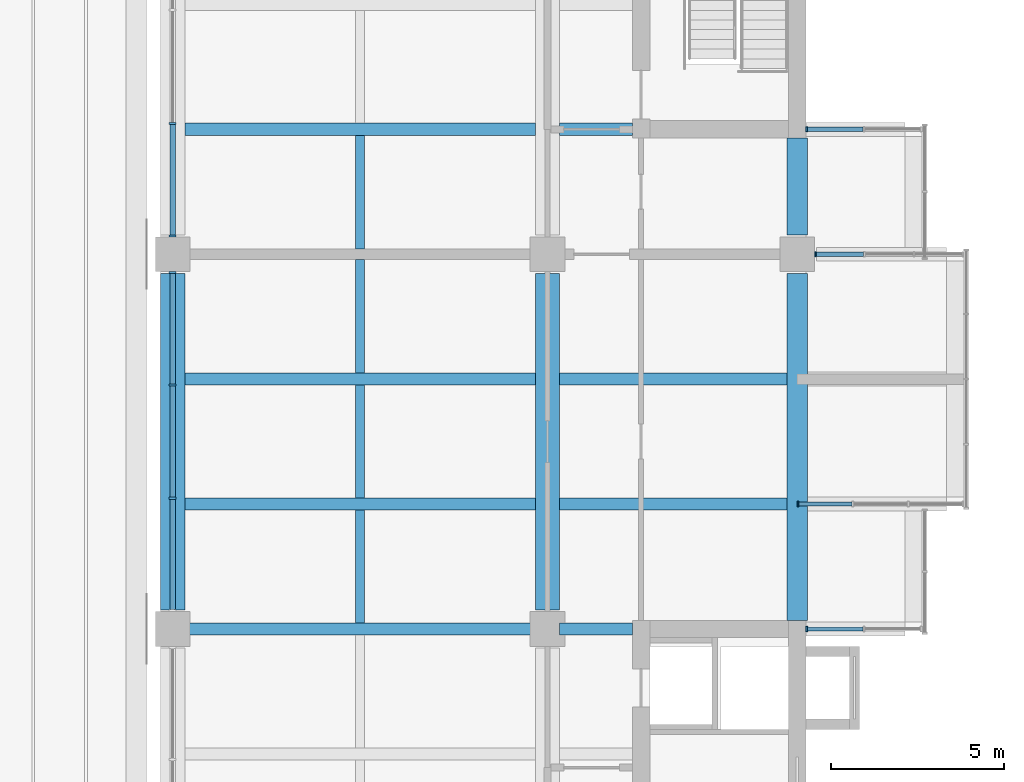
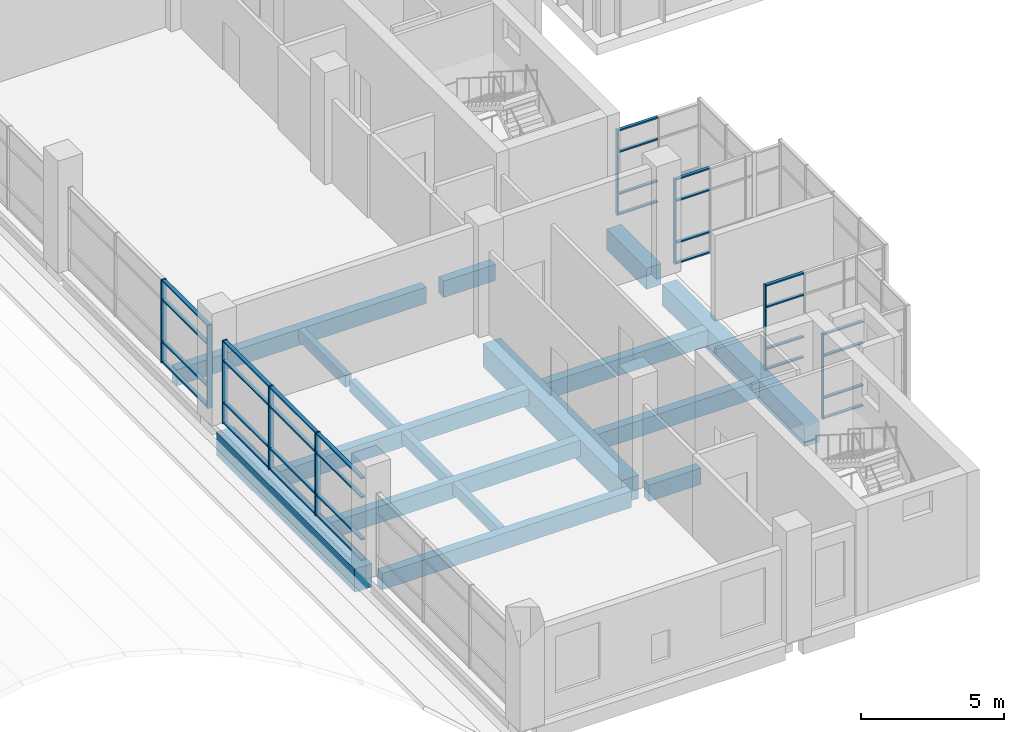
# One storey, part 7 of 45: 41 members, 16 beams, 6 elements without a shape of their own.
"""IFC4 building model written with IfcOpenShell, lengths in metres."""

from ifc_helpers import new_model, si_unit, direction, frame, origin, origin_2d, place, context, subcontext, project, spatial, rectangle, extrude, material, layer, layer_set, material_profile, profile_set, type_object, element, aggregate, save


model = new_model("IFC4")

# Units and contexts
model_context = context("Model", 3, precision=1e-05, world=origin(), true_north=direction((0.0, 1.0)))
body_context = subcontext(model_context, "Body", "Model", "MODEL_VIEW")
ifc_project = project(units=[si_unit("LENGTHUNIT", "METRE"), si_unit("AREAUNIT", "SQUARE_METRE"), si_unit("VOLUMEUNIT", "CUBIC_METRE"), si_unit("PLANEANGLEUNIT", "RADIAN"), si_unit("MASSUNIT", "GRAM", prefix="KILO")], contexts=[model_context])

# Site, building, storey
site_placement = place(None, origin())
site = spatial("IfcSite", under=ifc_project, at=site_placement, CompositionType="ELEMENT")
building_placement = place(site_placement, origin())
building = spatial("IfcBuilding", under=site, at=building_placement, Name="Basin Gate Institute", CompositionType="ELEMENT")
storey_placement = place(building_placement, frame((0.0, 0.0, 22.199951171875)))
storey = spatial("IfcBuildingStorey", under=building, at=storey_placement, Name="L04", CompositionType="ELEMENT", Elevation=22.199951171875)

# Beams
ifc_material_1 = material(Name="Concrete 40 MPa", Category="concrete")
ifc_material_profile_1 = material_profile(ifc_material_1, rectangle(XDim=0.35009765625, YDim=0.699951171875, at=origin_2d()), Name="Beam B1 350 x 700")
ifc_profile_set_1 = profile_set([ifc_material_profile_1], Name="Concrete 40 MPa")
beam_type_1 = type_object("IfcBeamType", Name="Beam B1 R120", PredefinedType="BEAM", material=ifc_profile_set_1)
beam_1_placement = place(storey_placement, frame((111.25, 45.89990234375, -0.599853515625), z_axis=(-1.0, 0.0, 0.0), x_axis=(0.0, -1.0, 0.0)))
element("IfcBeam", 1, at=beam_1_placement, inside=storey, type_object=beam_type_1, material=ifc_profile_set_1, Name="BEAM/L04/E/EW/04", PredefinedType="BEAM", context=body_context, shape_type="SweptSolid", body=[
    extrude(rectangle(XDim=0.35009765625, YDim=0.699951171875, at=origin_2d()), origin(), (0.0, 0.0, 1.0), 10.10009765625),
])
beam_2_placement = place(storey_placement, frame((114.050048828125, 45.89990234375, -0.599853515625), z_axis=(-1.0, 0.0, 0.0), x_axis=(0.0, -1.0, 0.0)))
element("IfcBeam", 2, at=beam_2_placement, inside=storey, type_object=beam_type_1, material=ifc_profile_set_1, Name="BEAM/L04/E/CORR/04", PredefinedType="BEAM", context=body_context, shape_type="SweptSolid", body=[
    extrude(rectangle(XDim=0.35009765625, YDim=0.699951171875, at=origin_2d()), origin(), (0.0, 0.0, 1.0), 2.10009765625),
])
beam_3_placement = place(storey_placement, frame((111.25, 49.5, -0.599853515625), z_axis=(-1.0, 0.0, 0.0), x_axis=(0.0, -1.0, 0.0)))
element("IfcBeam", 3, at=beam_3_placement, inside=storey, type_object=beam_type_1, material=ifc_profile_set_1, Name="BEAM/L04/E/EW/05", PredefinedType="BEAM", context=body_context, shape_type="SweptSolid", body=[
    extrude(rectangle(XDim=0.35009765625, YDim=0.699951171875, at=origin_2d()), origin(), (0.0, 0.0, 1.0), 10.10009765625),
])
beam_4_placement = place(storey_placement, frame((118.5, 49.5, -0.599853515625), z_axis=(-1.0, 0.0, 0.0), x_axis=(0.0, -1.0, 0.0)))
element("IfcBeam", 4, at=beam_4_placement, inside=storey, type_object=beam_type_1, material=ifc_profile_set_1, Name="BEAM/L04/E/OUT/05", PredefinedType="BEAM", context=body_context, shape_type="SweptSolid", body=[
    extrude(rectangle(XDim=0.35009765625, YDim=0.699951171875, at=origin_2d()), origin(), (0.0, 0.0, 1.0), 6.550048828125),
])
beam_5_placement = place(storey_placement, frame((111.25, 53.10009765625, -0.599853515625), z_axis=(-1.0, 0.0, 0.0), x_axis=(0.0, -1.0, 0.0)))
element("IfcBeam", 5, at=beam_5_placement, inside=storey, type_object=beam_type_1, material=ifc_profile_set_1, Name="BEAM/L04/E/EW/06", PredefinedType="BEAM", context=body_context, shape_type="SweptSolid", body=[
    extrude(rectangle(XDim=0.35009765625, YDim=0.699951171875, at=origin_2d()), origin(), (0.0, 0.0, 1.0), 10.10009765625),
])
beam_6_placement = place(storey_placement, frame((118.5, 53.10009765625, -0.599853515625), z_axis=(-1.0, 0.0, 0.0), x_axis=(0.0, -1.0, 0.0)))
element("IfcBeam", 6, at=beam_6_placement, inside=storey, type_object=beam_type_1, material=ifc_profile_set_1, Name="BEAM/L04/E/OUT/06", PredefinedType="BEAM", context=body_context, shape_type="SweptSolid", body=[
    extrude(rectangle(XDim=0.35009765625, YDim=0.699951171875, at=origin_2d()), origin(), (0.0, 0.0, 1.0), 6.550048828125),
])
beam_7_placement = place(storey_placement, frame((111.25, 60.300048828125, -0.599853515625), z_axis=(-1.0, 0.0, 0.0), x_axis=(0.0, -1.0, 0.0)))
element("IfcBeam", 7, at=beam_7_placement, inside=storey, type_object=beam_type_1, material=ifc_profile_set_1, Name="BEAM/L04/E/EW/08", PredefinedType="BEAM", context=body_context, shape_type="SweptSolid", body=[
    extrude(rectangle(XDim=0.35009765625, YDim=0.699951171875, at=origin_2d()), origin(), (0.0, 0.0, 1.0), 10.10009765625),
])
beam_8_placement = place(storey_placement, frame((114.050048828125, 60.300048828125, -0.599853515625), z_axis=(-1.0, 0.0, 0.0), x_axis=(0.0, -1.0, 0.0)))
element("IfcBeam", 8, at=beam_8_placement, inside=storey, type_object=beam_type_1, material=ifc_profile_set_1, Name="BEAM/L04/E/CORR/08", PredefinedType="BEAM", context=body_context, shape_type="SweptSolid", body=[
    extrude(rectangle(XDim=0.35009765625, YDim=0.699951171875, at=origin_2d()), origin(), (0.0, 0.0, 1.0), 2.10009765625),
])
ifc_material_2 = material(Name="Concrete 50 MPa", Category="concrete")
ifc_material_profile_2 = material_profile(ifc_material_2, rectangle(XDim=0.60009765625, YDim=0.89990234375, at=origin_2d()), Name="Edge beam EB1 600 x 900")
ifc_profile_set_2 = profile_set([ifc_material_profile_2], Name="Concrete 50 MPa")
beam_type_2 = type_object("IfcBeamType", Name="Edge beam EB1 R120", PredefinedType="SPANDREL", material=ifc_profile_set_2)
beam_9_placement = place(storey_placement, frame((118.800048828125, 46.14990234375, -0.699951171875), z_axis=(0.0, 1.0, 0.0), x_axis=(-1.0, 0.0, 0.0)))
element("IfcBeam", 9, at=beam_9_placement, inside=storey, type_object=beam_type_2, material=ifc_profile_set_2, Name="BEAM/L04/E/EDGE/1", PredefinedType="SPANDREL", context=body_context, shape_type="SweptSolid", body=[
    extrude(rectangle(XDim=0.60009765625, YDim=0.89990234375, at=origin_2d()), origin(), (0.0, 0.0, 1.0), 10.0),
])
ifc_material_3 = material(Name="Concrete 50 MPa", Category="concrete")
ifc_material_profile_3 = material_profile(ifc_material_3, rectangle(XDim=0.60009765625, YDim=0.89990234375, at=origin_2d()), Name="Edge return beam EB3 600 x 900")
ifc_profile_set_3 = profile_set([ifc_material_profile_3], Name="Concrete 50 MPa")
beam_type_3 = type_object("IfcBeamType", Name="Edge return beam EB3 R120", PredefinedType="SPANDREL", material=ifc_profile_set_3)
beam_10_placement = place(storey_placement, frame((118.800048828125, 57.25, -0.699951171875), z_axis=(0.0, 1.0, 0.0), x_axis=(-1.0, 0.0, 0.0)))
element("IfcBeam", 10, at=beam_10_placement, inside=storey, type_object=beam_type_3, material=ifc_profile_set_3, Name="BEAM/L04/E/EDGE/2", PredefinedType="SPANDREL", context=body_context, shape_type="SweptSolid", body=[
    extrude(rectangle(XDim=0.60009765625, YDim=0.89990234375, at=origin_2d()), origin(), (0.0, 0.0, 1.0), 2.800048828125),
])
ifc_material_4 = material(Name="Concrete 50 MPa", Category="concrete")
ifc_material_profile_4 = material_profile(ifc_material_4, rectangle(XDim=0.699951171875, YDim=1.0, at=origin_2d()), Name="Girder G1 700 x 1000")
ifc_profile_set_4 = profile_set([ifc_material_profile_4], Name="Concrete 50 MPa")
beam_type_4 = type_object("IfcBeamType", Name="Girder G1 R120", PredefinedType="BEAM", material=ifc_profile_set_4)
for number, where, z_axis, x_axis, name in (
    (11, (111.60009765625, 46.449951171875, -0.75), (0.0, 1.0, 0.0), (-1.0, 0.0, 0.0), "GIR/L04/E8/2"),
    (12, (100.800048828125, 46.449951171875, -0.75), (0.0, 1.0, 0.0), (-1.0, 0.0, 0.0), "GIR/L04/E7/2"),
):
    element("IfcBeam", number, at=place(storey_placement, frame(where, z_axis=z_axis, x_axis=x_axis)), inside=storey, type_object=beam_type_4, material=ifc_profile_set_4, Name=name, PredefinedType="BEAM", context=body_context, shape_type="SweptSolid", body=[
        extrude(rectangle(XDim=0.699951171875, YDim=1.0, at=origin_2d()), origin(), (0.0, 0.0, 1.0), 9.699951171875),
    ])

# Curtain wall, member
ifc_material_5 = material(Name="Aluminium-framed glazing", Category="aluminium")
ifc_layer_1 = layer(ifc_material_5, 0.14990234375)
ifc_layer_set_1 = layer_set([ifc_layer_1], Name="Capsule front curtain wall CW1")
curtain_wall_type_1 = type_object("IfcCurtainWallType", Name="Capsule front curtain wall CW1", PredefinedType="NOTDEFINED", material=ifc_layer_set_1)
curtain_wall_1_placement = place(storey_placement, origin())
curtain_wall_1 = element("IfcCurtainWall", 13, at=curtain_wall_1_placement, inside=storey, type_object=curtain_wall_type_1, material=ifc_layer_set_1, Name="Capsule front curtain wall E wing capsule end L04 line 4", PredefinedType="NOTDEFINED")
ifc_material_6 = material(Name="Aluminium", Category="aluminium")
ifc_material_profile_5 = material_profile(ifc_material_6, rectangle(XDim=0.14990234375, YDim=0.050048828125, at=origin_2d()), Name="Mullion MU1 150 x 50")
ifc_profile_set_5 = profile_set([ifc_material_profile_5], Name="Aluminium")
member_type_1 = type_object("IfcMemberType", Name="Mullion MU1", PredefinedType="MULLION", material=ifc_profile_set_5)
member_1_placement = place(storey_placement, frame((119.074951171875, 45.89990234375, 0.0), z_axis=(0.0, 0.0, 1.0), x_axis=(0.0, -1.0, 0.0)))
member_1 = element("IfcMember", 14, at=member_1_placement, type_object=member_type_1, material=ifc_profile_set_5, Name="CW1 mullion 3", PredefinedType="MULLION", context=body_context, shape_type="SweptSolid", body=[
    extrude(rectangle(XDim=0.14990234375, YDim=0.050048828125, at=origin_2d()), origin(), (0.0, 0.0, 1.0), 3.650146484375),
])

curtain_wall_2_placement = place(storey_placement, origin())
curtain_wall_2 = element("IfcCurtainWall", 15, at=curtain_wall_2_placement, inside=storey, type_object=curtain_wall_type_1, material=ifc_layer_set_1, Name="Capsule front curtain wall E wing capsule end L04 line 5", PredefinedType="NOTDEFINED")
member_2_placement = place(storey_placement, frame((118.824951171875, 49.5, 0.0), z_axis=(0.0, 0.0, 1.0), x_axis=(0.0, -1.0, 0.0)))
member_2 = element("IfcMember", 16, at=member_2_placement, type_object=member_type_1, material=ifc_profile_set_5, Name="CW1 mullion 4", PredefinedType="MULLION", context=body_context, shape_type="SweptSolid", body=[
    extrude(rectangle(XDim=0.14990234375, YDim=0.050048828125, at=origin_2d()), origin(), (0.0, 0.0, 1.0), 3.650146484375),
])

curtain_wall_3_placement = place(storey_placement, origin())
curtain_wall_3 = element("IfcCurtainWall", 17, at=curtain_wall_3_placement, inside=storey, type_object=curtain_wall_type_1, material=ifc_layer_set_1, Name="Capsule front curtain wall E wing capsule end L04 line 7", PredefinedType="NOTDEFINED")
member_3_placement = place(storey_placement, frame((119.324951171875, 56.699951171875, 0.0), z_axis=(0.0, 0.0, 1.0), x_axis=(0.0, -1.0, 0.0)))
member_3 = element("IfcMember", 18, at=member_3_placement, type_object=member_type_1, material=ifc_profile_set_5, Name="CW1 mullion 4", PredefinedType="MULLION", context=body_context, shape_type="SweptSolid", body=[
    extrude(rectangle(XDim=0.14990234375, YDim=0.050048828125, at=origin_2d()), origin(), (0.0, 0.0, 1.0), 3.650146484375),
])

curtain_wall_4_placement = place(storey_placement, origin())
curtain_wall_4 = element("IfcCurtainWall", 19, at=curtain_wall_4_placement, inside=storey, type_object=curtain_wall_type_1, material=ifc_layer_set_1, Name="Capsule front curtain wall E wing capsule end L04 line 8", PredefinedType="NOTDEFINED")
member_4_placement = place(storey_placement, frame((119.074951171875, 60.300048828125, 0.0), z_axis=(0.0, 0.0, 1.0), x_axis=(0.0, -1.0, 0.0)))
member_4 = element("IfcMember", 20, at=member_4_placement, type_object=member_type_1, material=ifc_profile_set_5, Name="CW1 mullion 3", PredefinedType="MULLION", context=body_context, shape_type="SweptSolid", body=[
    extrude(rectangle(XDim=0.14990234375, YDim=0.050048828125, at=origin_2d()), origin(), (0.0, 0.0, 1.0), 3.650146484375),
])

# Curtain wall, members
ifc_material_7 = material(Name="Aluminium-framed glazing", Category="aluminium")
ifc_layer_2 = layer(ifc_material_7, 0.199951171875)
ifc_layer_set_2 = layer_set([ifc_layer_2], Name="Atrium curtain wall CW2")
curtain_wall_type_2 = type_object("IfcCurtainWallType", Name="Atrium curtain wall CW2", PredefinedType="NOTDEFINED", material=ifc_layer_set_2)
curtain_wall_5_placement = place(storey_placement, origin())
curtain_wall_5 = element("IfcCurtainWall", 21, at=curtain_wall_5_placement, inside=storey, type_object=curtain_wall_type_2, material=ifc_layer_set_2, Name="Atrium curtain wall E wing atrium bay 2 L04", PredefinedType="NOTDEFINED")
ifc_material_8 = material(Name="Aluminium", Category="aluminium")
ifc_material_profile_6 = material_profile(ifc_material_8, rectangle(XDim=0.199951171875, YDim=0.06005859375, at=origin_2d()), Name="Mullion MU2 200 x 60")
ifc_profile_set_6 = profile_set([ifc_material_profile_6], Name="Aluminium")
member_type_2 = type_object("IfcMemberType", Name="Mullion MU2", PredefinedType="MULLION", material=ifc_profile_set_6)
member_5_placement = place(storey_placement, frame((100.800048828125, 49.666748046875, 0.0), z_axis=(0.0, 0.0, 1.0), x_axis=(-1.0, 0.0, 0.0)))
member_5 = element("IfcMember", 22, at=member_5_placement, type_object=member_type_2, material=ifc_profile_set_6, Name="CW2 mullion 2", PredefinedType="MULLION", context=body_context, shape_type="SweptSolid", body=[
    extrude(rectangle(XDim=0.199951171875, YDim=0.06005859375, at=origin_2d()), origin(), (0.0, 0.0, 1.0), 3.550048828125),
])
member_6_placement = place(storey_placement, frame((100.800048828125, 52.933349609375, 0.0), z_axis=(0.0, 0.0, 1.0), x_axis=(-1.0, 0.0, 0.0)))
member_6 = element("IfcMember", 23, at=member_6_placement, type_object=member_type_2, material=ifc_profile_set_6, Name="CW2 mullion 3", PredefinedType="MULLION", context=body_context, shape_type="SweptSolid", body=[
    extrude(rectangle(XDim=0.199951171875, YDim=0.06005859375, at=origin_2d()), origin(), (0.0, 0.0, 1.0), 3.550048828125),
])
member_7_placement = place(storey_placement, frame((100.800048828125, 56.169921875, 0.0), z_axis=(0.0, 0.0, 1.0), x_axis=(-1.0, 0.0, 0.0)))
member_7 = element("IfcMember", 24, at=member_7_placement, type_object=member_type_2, material=ifc_profile_set_6, Name="CW2 mullion 4", PredefinedType="MULLION", context=body_context, shape_type="SweptSolid", body=[
    extrude(rectangle(XDim=0.199951171875, YDim=0.06005859375, at=origin_2d()), origin(), (0.0, 0.0, 1.0), 3.550048828125),
])

curtain_wall_6_placement = place(storey_placement, origin())
curtain_wall_6 = element("IfcCurtainWall", 25, at=curtain_wall_6_placement, inside=storey, type_object=curtain_wall_type_2, material=ifc_layer_set_2, Name="Atrium curtain wall E wing atrium bay 3 L04", PredefinedType="NOTDEFINED")
member_8_placement = place(storey_placement, frame((100.800048828125, 57.22998046875, 0.0), z_axis=(0.0, 0.0, 1.0), x_axis=(-1.0, 0.0, 0.0)))
member_8 = element("IfcMember", 26, at=member_8_placement, type_object=member_type_2, material=ifc_profile_set_6, Name="CW2 mullion 1", PredefinedType="MULLION", context=body_context, shape_type="SweptSolid", body=[
    extrude(rectangle(XDim=0.199951171875, YDim=0.06005859375, at=origin_2d()), origin(), (0.0, 0.0, 1.0), 3.550048828125),
])
member_9_placement = place(storey_placement, frame((100.800048828125, 60.466552734375, 0.0), z_axis=(0.0, 0.0, 1.0), x_axis=(-1.0, 0.0, 0.0)))
member_9 = element("IfcMember", 27, at=member_9_placement, type_object=member_type_2, material=ifc_profile_set_6, Name="CW2 mullion 2", PredefinedType="MULLION", context=body_context, shape_type="SweptSolid", body=[
    extrude(rectangle(XDim=0.199951171875, YDim=0.06005859375, at=origin_2d()), origin(), (0.0, 0.0, 1.0), 3.550048828125),
])

# Beams
ifc_material_9 = material(Name="Concrete 40 MPa", Category="concrete")
ifc_material_profile_7 = material_profile(ifc_material_9, rectangle(XDim=0.25, YDim=0.5, at=origin_2d()), Name="Rib R1 250 x 500")
ifc_profile_set_7 = profile_set([ifc_material_profile_7], Name="Concrete 40 MPa")
beam_type_5 = type_object("IfcBeamType", Name="Rib R1 R120", PredefinedType="JOIST", material=ifc_profile_set_7)
for number, where, z_axis, x_axis, name in (
    (28, (106.199951171875, 46.074951171875, -0.5), (0.0, 1.0, 0.0), (-1.0, 0.0, 0.0), "BEAM/L04/E/RIB/04"),
    (29, (106.199951171875, 49.675048828125, -0.5), (0.0, 1.0, 0.0), (-1.0, 0.0, 0.0), "BEAM/L04/E/RIB/05"),
):
    element("IfcBeam", number, at=place(storey_placement, frame(where, z_axis=z_axis, x_axis=x_axis)), inside=storey, type_object=beam_type_5, material=ifc_profile_set_7, Name=name, PredefinedType="JOIST", context=body_context, shape_type="SweptSolid", body=[
        extrude(rectangle(XDim=0.25, YDim=0.5, at=origin_2d()), origin(), (0.0, 0.0, 1.0), 3.25),
    ])
beam_11_placement = place(storey_placement, frame((106.199951171875, 53.27490234375, -0.5), z_axis=(0.0, 1.0, 0.0), x_axis=(-1.0, 0.0, 0.0)))
element("IfcBeam", 30, at=beam_11_placement, inside=storey, type_object=beam_type_5, material=ifc_profile_set_7, Name="BEAM/L04/E/RIB/06", PredefinedType="JOIST", context=body_context, shape_type="SweptSolid", body=[
    extrude(rectangle(XDim=0.25, YDim=0.5, at=origin_2d()), origin(), (0.0, 0.0, 1.0), 3.275146484375),
])
beam_12_placement = place(storey_placement, frame((106.199951171875, 56.85009765625, -0.5), z_axis=(0.0, 1.0, 0.0), x_axis=(-1.0, 0.0, 0.0)))
element("IfcBeam", 31, at=beam_12_placement, inside=storey, type_object=beam_type_5, material=ifc_profile_set_7, Name="BEAM/L04/E/RIB/07", PredefinedType="JOIST", context=body_context, shape_type="SweptSolid", body=[
    extrude(rectangle(XDim=0.25, YDim=0.5, at=origin_2d()), origin(), (0.0, 0.0, 1.0), 3.27490234375),
])

# Member
ifc_material_10 = material(Name="Aluminium", Category="aluminium")
ifc_material_profile_8 = material_profile(ifc_material_10, rectangle(XDim=0.1201171875, YDim=0.06005859375, at=origin_2d()), Name="Transom TR1 120 x 60")
ifc_profile_set_8 = profile_set([ifc_material_profile_8], Name="Aluminium")
member_type_3 = type_object("IfcMemberType", Name="Transom TR1", PredefinedType="USERDEFINED", material=ifc_profile_set_8)
member_10_placement = place(storey_placement, frame((120.699951171875, 45.89990234375, 0.030029296875), z_axis=(-1.0, 0.0, 0.0), x_axis=(0.0, -1.0, 0.0)))
member_10 = element("IfcMember", 32, at=member_10_placement, type_object=member_type_3, material=ifc_profile_set_8, Name="CW1 transom 2.1", ObjectType="TRANSOM", PredefinedType="USERDEFINED", context=body_context, shape_type="SweptSolid", body=[
    extrude(rectangle(XDim=0.1201171875, YDim=0.06005859375, at=origin_2d()), origin(), (0.0, 0.0, 1.0), 1.599853515625),
])

member_11_placement = place(storey_placement, frame((120.699951171875, 45.89990234375, 0.900146484375), z_axis=(-1.0, 0.0, 0.0), x_axis=(0.0, -1.0, 0.0)))
member_11 = element("IfcMember", 33, at=member_11_placement, type_object=member_type_3, material=ifc_profile_set_8, Name="CW1 transom 2.2", ObjectType="TRANSOM", PredefinedType="USERDEFINED", context=body_context, shape_type="SweptSolid", body=[
    extrude(rectangle(XDim=0.1201171875, YDim=0.06005859375, at=origin_2d()), origin(), (0.0, 0.0, 1.0), 1.599853515625),
])

member_12_placement = place(storey_placement, frame((120.699951171875, 45.89990234375, 2.699951171875), z_axis=(-1.0, 0.0, 0.0), x_axis=(0.0, -1.0, 0.0)))
member_12 = element("IfcMember", 34, at=member_12_placement, type_object=member_type_3, material=ifc_profile_set_8, Name="CW1 transom 2.3", ObjectType="TRANSOM", PredefinedType="USERDEFINED", context=body_context, shape_type="SweptSolid", body=[
    extrude(rectangle(XDim=0.1201171875, YDim=0.06005859375, at=origin_2d()), origin(), (0.0, 0.0, 1.0), 1.599853515625),
])

member_13_placement = place(storey_placement, frame((120.699951171875, 45.89990234375, 3.6201171875), z_axis=(-1.0, 0.0, 0.0), x_axis=(0.0, -1.0, 0.0)))
member_13 = element("IfcMember", 35, at=member_13_placement, type_object=member_type_3, material=ifc_profile_set_8, Name="CW1 transom 2.4", ObjectType="TRANSOM", PredefinedType="USERDEFINED", context=body_context, shape_type="SweptSolid", body=[
    extrude(rectangle(XDim=0.1201171875, YDim=0.06005859375, at=origin_2d()), origin(), (0.0, 0.0, 1.0), 1.599853515625),
])

aggregate(curtain_wall_1, [member_1, member_10, member_11, member_12, member_13])

member_14_placement = place(storey_placement, frame((120.375, 49.5, 0.030029296875), z_axis=(-1.0, 0.0, 0.0), x_axis=(0.0, -1.0, 0.0)))
member_14 = element("IfcMember", 36, at=member_14_placement, type_object=member_type_3, material=ifc_profile_set_8, Name="CW1 transom 3.1", ObjectType="TRANSOM", PredefinedType="USERDEFINED", context=body_context, shape_type="SweptSolid", body=[
    extrude(rectangle(XDim=0.1201171875, YDim=0.06005859375, at=origin_2d()), origin(), (0.0, 0.0, 1.0), 1.52490234375),
])

member_15_placement = place(storey_placement, frame((120.375, 49.5, 0.900146484375), z_axis=(-1.0, 0.0, 0.0), x_axis=(0.0, -1.0, 0.0)))
member_15 = element("IfcMember", 37, at=member_15_placement, type_object=member_type_3, material=ifc_profile_set_8, Name="CW1 transom 3.2", ObjectType="TRANSOM", PredefinedType="USERDEFINED", context=body_context, shape_type="SweptSolid", body=[
    extrude(rectangle(XDim=0.1201171875, YDim=0.06005859375, at=origin_2d()), origin(), (0.0, 0.0, 1.0), 1.52490234375),
])

member_16_placement = place(storey_placement, frame((120.375, 49.5, 2.699951171875), z_axis=(-1.0, 0.0, 0.0), x_axis=(0.0, -1.0, 0.0)))
member_16 = element("IfcMember", 38, at=member_16_placement, type_object=member_type_3, material=ifc_profile_set_8, Name="CW1 transom 3.3", ObjectType="TRANSOM", PredefinedType="USERDEFINED", context=body_context, shape_type="SweptSolid", body=[
    extrude(rectangle(XDim=0.1201171875, YDim=0.06005859375, at=origin_2d()), origin(), (0.0, 0.0, 1.0), 1.52490234375),
])

member_17_placement = place(storey_placement, frame((120.375, 49.5, 3.6201171875), z_axis=(-1.0, 0.0, 0.0), x_axis=(0.0, -1.0, 0.0)))
member_17 = element("IfcMember", 39, at=member_17_placement, type_object=member_type_3, material=ifc_profile_set_8, Name="CW1 transom 3.4", ObjectType="TRANSOM", PredefinedType="USERDEFINED", context=body_context, shape_type="SweptSolid", body=[
    extrude(rectangle(XDim=0.1201171875, YDim=0.06005859375, at=origin_2d()), origin(), (0.0, 0.0, 1.0), 1.52490234375),
])

aggregate(curtain_wall_2, [member_2, member_14, member_15, member_16, member_17])

member_18_placement = place(storey_placement, frame((120.708251953125, 56.699951171875, 0.030029296875), z_axis=(-1.0, 0.0, 0.0), x_axis=(0.0, -1.0, 0.0)))
member_18 = element("IfcMember", 40, at=member_18_placement, type_object=member_type_3, material=ifc_profile_set_8, Name="CW1 transom 3.1", ObjectType="TRANSOM", PredefinedType="USERDEFINED", context=body_context, shape_type="SweptSolid", body=[
    extrude(rectangle(XDim=0.1201171875, YDim=0.06005859375, at=origin_2d()), origin(), (0.0, 0.0, 1.0), 1.358154296875),
])

member_19_placement = place(storey_placement, frame((120.708251953125, 56.699951171875, 0.900146484375), z_axis=(-1.0, 0.0, 0.0), x_axis=(0.0, -1.0, 0.0)))
member_19 = element("IfcMember", 41, at=member_19_placement, type_object=member_type_3, material=ifc_profile_set_8, Name="CW1 transom 3.2", ObjectType="TRANSOM", PredefinedType="USERDEFINED", context=body_context, shape_type="SweptSolid", body=[
    extrude(rectangle(XDim=0.1201171875, YDim=0.06005859375, at=origin_2d()), origin(), (0.0, 0.0, 1.0), 1.358154296875),
])

member_20_placement = place(storey_placement, frame((120.708251953125, 56.699951171875, 2.699951171875), z_axis=(-1.0, 0.0, 0.0), x_axis=(0.0, -1.0, 0.0)))
member_20 = element("IfcMember", 42, at=member_20_placement, type_object=member_type_3, material=ifc_profile_set_8, Name="CW1 transom 3.3", ObjectType="TRANSOM", PredefinedType="USERDEFINED", context=body_context, shape_type="SweptSolid", body=[
    extrude(rectangle(XDim=0.1201171875, YDim=0.06005859375, at=origin_2d()), origin(), (0.0, 0.0, 1.0), 1.358154296875),
])

member_21_placement = place(storey_placement, frame((120.708251953125, 56.699951171875, 3.6201171875), z_axis=(-1.0, 0.0, 0.0), x_axis=(0.0, -1.0, 0.0)))
member_21 = element("IfcMember", 43, at=member_21_placement, type_object=member_type_3, material=ifc_profile_set_8, Name="CW1 transom 3.4", ObjectType="TRANSOM", PredefinedType="USERDEFINED", context=body_context, shape_type="SweptSolid", body=[
    extrude(rectangle(XDim=0.1201171875, YDim=0.06005859375, at=origin_2d()), origin(), (0.0, 0.0, 1.0), 1.358154296875),
])

aggregate(curtain_wall_3, [member_3, member_18, member_19, member_20, member_21])

member_22_placement = place(storey_placement, frame((120.699951171875, 60.300048828125, 0.030029296875), z_axis=(-1.0, 0.0, 0.0), x_axis=(0.0, -1.0, 0.0)))
member_22 = element("IfcMember", 44, at=member_22_placement, type_object=member_type_3, material=ifc_profile_set_8, Name="CW1 transom 2.1", ObjectType="TRANSOM", PredefinedType="USERDEFINED", context=body_context, shape_type="SweptSolid", body=[
    extrude(rectangle(XDim=0.1201171875, YDim=0.06005859375, at=origin_2d()), origin(), (0.0, 0.0, 1.0), 1.599853515625),
])

member_23_placement = place(storey_placement, frame((120.699951171875, 60.300048828125, 0.900146484375), z_axis=(-1.0, 0.0, 0.0), x_axis=(0.0, -1.0, 0.0)))
member_23 = element("IfcMember", 45, at=member_23_placement, type_object=member_type_3, material=ifc_profile_set_8, Name="CW1 transom 2.2", ObjectType="TRANSOM", PredefinedType="USERDEFINED", context=body_context, shape_type="SweptSolid", body=[
    extrude(rectangle(XDim=0.1201171875, YDim=0.06005859375, at=origin_2d()), origin(), (0.0, 0.0, 1.0), 1.599853515625),
])

member_24_placement = place(storey_placement, frame((120.699951171875, 60.300048828125, 2.699951171875), z_axis=(-1.0, 0.0, 0.0), x_axis=(0.0, -1.0, 0.0)))
member_24 = element("IfcMember", 46, at=member_24_placement, type_object=member_type_3, material=ifc_profile_set_8, Name="CW1 transom 2.3", ObjectType="TRANSOM", PredefinedType="USERDEFINED", context=body_context, shape_type="SweptSolid", body=[
    extrude(rectangle(XDim=0.1201171875, YDim=0.06005859375, at=origin_2d()), origin(), (0.0, 0.0, 1.0), 1.599853515625),
])

member_25_placement = place(storey_placement, frame((120.699951171875, 60.300048828125, 3.6201171875), z_axis=(-1.0, 0.0, 0.0), x_axis=(0.0, -1.0, 0.0)))
member_25 = element("IfcMember", 47, at=member_25_placement, type_object=member_type_3, material=ifc_profile_set_8, Name="CW1 transom 2.4", ObjectType="TRANSOM", PredefinedType="USERDEFINED", context=body_context, shape_type="SweptSolid", body=[
    extrude(rectangle(XDim=0.1201171875, YDim=0.06005859375, at=origin_2d()), origin(), (0.0, 0.0, 1.0), 1.599853515625),
])

aggregate(curtain_wall_4, [member_4, member_22, member_23, member_24, member_25])

ifc_material_11 = material(Name="Aluminium", Category="aluminium")
ifc_material_profile_9 = material_profile(ifc_material_11, rectangle(XDim=0.14990234375, YDim=0.06005859375, at=origin_2d()), Name="Transom TR2 150 x 60")
ifc_profile_set_9 = profile_set([ifc_material_profile_9], Name="Aluminium")
member_type_4 = type_object("IfcMemberType", Name="Transom TR2", PredefinedType="USERDEFINED", material=ifc_profile_set_9)
member_26_placement = place(storey_placement, frame((100.800048828125, 46.4599609375, 0.030029296875), z_axis=(0.0, 1.0, 0.0), x_axis=(-1.0, 0.0, 0.0)))
member_26 = element("IfcMember", 48, at=member_26_placement, type_object=member_type_4, material=ifc_profile_set_9, Name="CW2 transom 1.1", ObjectType="TRANSOM", PredefinedType="USERDEFINED", context=body_context, shape_type="SweptSolid", body=[
    extrude(rectangle(XDim=0.14990234375, YDim=0.06005859375, at=origin_2d()), origin(), (0.0, 0.0, 1.0), 3.1767578125),
])

member_27_placement = place(storey_placement, frame((100.800048828125, 46.4599609375, 0.900146484375), z_axis=(0.0, 1.0, 0.0), x_axis=(-1.0, 0.0, 0.0)))
member_27 = element("IfcMember", 49, at=member_27_placement, type_object=member_type_4, material=ifc_profile_set_9, Name="CW2 transom 1.2", ObjectType="TRANSOM", PredefinedType="USERDEFINED", context=body_context, shape_type="SweptSolid", body=[
    extrude(rectangle(XDim=0.14990234375, YDim=0.06005859375, at=origin_2d()), origin(), (0.0, 0.0, 1.0), 3.1767578125),
])

member_28_placement = place(storey_placement, frame((100.800048828125, 46.4599609375, 2.699951171875), z_axis=(0.0, 1.0, 0.0), x_axis=(-1.0, 0.0, 0.0)))
member_28 = element("IfcMember", 50, at=member_28_placement, type_object=member_type_4, material=ifc_profile_set_9, Name="CW2 transom 1.3", ObjectType="TRANSOM", PredefinedType="USERDEFINED", context=body_context, shape_type="SweptSolid", body=[
    extrude(rectangle(XDim=0.14990234375, YDim=0.06005859375, at=origin_2d()), origin(), (0.0, 0.0, 1.0), 3.1767578125),
])

member_29_placement = place(storey_placement, frame((100.800048828125, 46.4599609375, 3.52001953125), z_axis=(0.0, 1.0, 0.0), x_axis=(-1.0, 0.0, 0.0)))
member_29 = element("IfcMember", 51, at=member_29_placement, type_object=member_type_4, material=ifc_profile_set_9, Name="CW2 transom 1.4", ObjectType="TRANSOM", PredefinedType="USERDEFINED", context=body_context, shape_type="SweptSolid", body=[
    extrude(rectangle(XDim=0.14990234375, YDim=0.06005859375, at=origin_2d()), origin(), (0.0, 0.0, 1.0), 3.1767578125),
])

member_30_placement = place(storey_placement, frame((100.800048828125, 49.69677734375, 0.030029296875), z_axis=(0.0, 1.0, 0.0), x_axis=(-1.0, 0.0, 0.0)))
member_30 = element("IfcMember", 52, at=member_30_placement, type_object=member_type_4, material=ifc_profile_set_9, Name="CW2 transom 2.1", ObjectType="TRANSOM", PredefinedType="USERDEFINED", context=body_context, shape_type="SweptSolid", body=[
    extrude(rectangle(XDim=0.14990234375, YDim=0.06005859375, at=origin_2d()), origin(), (0.0, 0.0, 1.0), 3.20654296875),
])

member_31_placement = place(storey_placement, frame((100.800048828125, 49.69677734375, 0.900146484375), z_axis=(0.0, 1.0, 0.0), x_axis=(-1.0, 0.0, 0.0)))
member_31 = element("IfcMember", 53, at=member_31_placement, type_object=member_type_4, material=ifc_profile_set_9, Name="CW2 transom 2.2", ObjectType="TRANSOM", PredefinedType="USERDEFINED", context=body_context, shape_type="SweptSolid", body=[
    extrude(rectangle(XDim=0.14990234375, YDim=0.06005859375, at=origin_2d()), origin(), (0.0, 0.0, 1.0), 3.20654296875),
])

member_32_placement = place(storey_placement, frame((100.800048828125, 49.69677734375, 2.699951171875), z_axis=(0.0, 1.0, 0.0), x_axis=(-1.0, 0.0, 0.0)))
member_32 = element("IfcMember", 54, at=member_32_placement, type_object=member_type_4, material=ifc_profile_set_9, Name="CW2 transom 2.3", ObjectType="TRANSOM", PredefinedType="USERDEFINED", context=body_context, shape_type="SweptSolid", body=[
    extrude(rectangle(XDim=0.14990234375, YDim=0.06005859375, at=origin_2d()), origin(), (0.0, 0.0, 1.0), 3.20654296875),
])

member_33_placement = place(storey_placement, frame((100.800048828125, 49.69677734375, 3.52001953125), z_axis=(0.0, 1.0, 0.0), x_axis=(-1.0, 0.0, 0.0)))
member_33 = element("IfcMember", 55, at=member_33_placement, type_object=member_type_4, material=ifc_profile_set_9, Name="CW2 transom 2.4", ObjectType="TRANSOM", PredefinedType="USERDEFINED", context=body_context, shape_type="SweptSolid", body=[
    extrude(rectangle(XDim=0.14990234375, YDim=0.06005859375, at=origin_2d()), origin(), (0.0, 0.0, 1.0), 3.20654296875),
])

member_34_placement = place(storey_placement, frame((100.800048828125, 52.96337890625, 0.030029296875), z_axis=(0.0, 1.0, 0.0), x_axis=(-1.0, 0.0, 0.0)))
member_34 = element("IfcMember", 56, at=member_34_placement, type_object=member_type_4, material=ifc_profile_set_9, Name="CW2 transom 3.1", ObjectType="TRANSOM", PredefinedType="USERDEFINED", context=body_context, shape_type="SweptSolid", body=[
    extrude(rectangle(XDim=0.14990234375, YDim=0.06005859375, at=origin_2d()), origin(), (0.0, 0.0, 1.0), 3.176513671875),
])

member_35_placement = place(storey_placement, frame((100.800048828125, 52.96337890625, 0.900146484375), z_axis=(0.0, 1.0, 0.0), x_axis=(-1.0, 0.0, 0.0)))
member_35 = element("IfcMember", 57, at=member_35_placement, type_object=member_type_4, material=ifc_profile_set_9, Name="CW2 transom 3.2", ObjectType="TRANSOM", PredefinedType="USERDEFINED", context=body_context, shape_type="SweptSolid", body=[
    extrude(rectangle(XDim=0.14990234375, YDim=0.06005859375, at=origin_2d()), origin(), (0.0, 0.0, 1.0), 3.176513671875),
])

member_36_placement = place(storey_placement, frame((100.800048828125, 52.96337890625, 2.699951171875), z_axis=(0.0, 1.0, 0.0), x_axis=(-1.0, 0.0, 0.0)))
member_36 = element("IfcMember", 58, at=member_36_placement, type_object=member_type_4, material=ifc_profile_set_9, Name="CW2 transom 3.3", ObjectType="TRANSOM", PredefinedType="USERDEFINED", context=body_context, shape_type="SweptSolid", body=[
    extrude(rectangle(XDim=0.14990234375, YDim=0.06005859375, at=origin_2d()), origin(), (0.0, 0.0, 1.0), 3.176513671875),
])

member_37_placement = place(storey_placement, frame((100.800048828125, 52.96337890625, 3.52001953125), z_axis=(0.0, 1.0, 0.0), x_axis=(-1.0, 0.0, 0.0)))
member_37 = element("IfcMember", 59, at=member_37_placement, type_object=member_type_4, material=ifc_profile_set_9, Name="CW2 transom 3.4", ObjectType="TRANSOM", PredefinedType="USERDEFINED", context=body_context, shape_type="SweptSolid", body=[
    extrude(rectangle(XDim=0.14990234375, YDim=0.06005859375, at=origin_2d()), origin(), (0.0, 0.0, 1.0), 3.176513671875),
])

aggregate(curtain_wall_5, [member_5, member_6, member_7, member_26, member_27, member_28, member_29, member_30, member_31, member_32, member_33, member_34, member_35, member_36, member_37])

member_38_placement = place(storey_placement, frame((100.800048828125, 57.260009765625, 0.030029296875), z_axis=(0.0, 1.0, 0.0), x_axis=(-1.0, 0.0, 0.0)))
member_38 = element("IfcMember", 60, at=member_38_placement, type_object=member_type_4, material=ifc_profile_set_9, Name="CW2 transom 1.1", ObjectType="TRANSOM", PredefinedType="USERDEFINED", context=body_context, shape_type="SweptSolid", body=[
    extrude(rectangle(XDim=0.14990234375, YDim=0.06005859375, at=origin_2d()), origin(), (0.0, 0.0, 1.0), 3.1767578125),
])

member_39_placement = place(storey_placement, frame((100.800048828125, 57.260009765625, 0.900146484375), z_axis=(0.0, 1.0, 0.0), x_axis=(-1.0, 0.0, 0.0)))
member_39 = element("IfcMember", 61, at=member_39_placement, type_object=member_type_4, material=ifc_profile_set_9, Name="CW2 transom 1.2", ObjectType="TRANSOM", PredefinedType="USERDEFINED", context=body_context, shape_type="SweptSolid", body=[
    extrude(rectangle(XDim=0.14990234375, YDim=0.06005859375, at=origin_2d()), origin(), (0.0, 0.0, 1.0), 3.1767578125),
])

member_40_placement = place(storey_placement, frame((100.800048828125, 57.260009765625, 2.699951171875), z_axis=(0.0, 1.0, 0.0), x_axis=(-1.0, 0.0, 0.0)))
member_40 = element("IfcMember", 62, at=member_40_placement, type_object=member_type_4, material=ifc_profile_set_9, Name="CW2 transom 1.3", ObjectType="TRANSOM", PredefinedType="USERDEFINED", context=body_context, shape_type="SweptSolid", body=[
    extrude(rectangle(XDim=0.14990234375, YDim=0.06005859375, at=origin_2d()), origin(), (0.0, 0.0, 1.0), 3.1767578125),
])

member_41_placement = place(storey_placement, frame((100.800048828125, 57.260009765625, 3.52001953125), z_axis=(0.0, 1.0, 0.0), x_axis=(-1.0, 0.0, 0.0)))
member_41 = element("IfcMember", 63, at=member_41_placement, type_object=member_type_4, material=ifc_profile_set_9, Name="CW2 transom 1.4", ObjectType="TRANSOM", PredefinedType="USERDEFINED", context=body_context, shape_type="SweptSolid", body=[
    extrude(rectangle(XDim=0.14990234375, YDim=0.06005859375, at=origin_2d()), origin(), (0.0, 0.0, 1.0), 3.1767578125),
])

aggregate(curtain_wall_6, [member_8, member_9, member_38, member_39, member_40, member_41])

save(model, "model.ifc")
